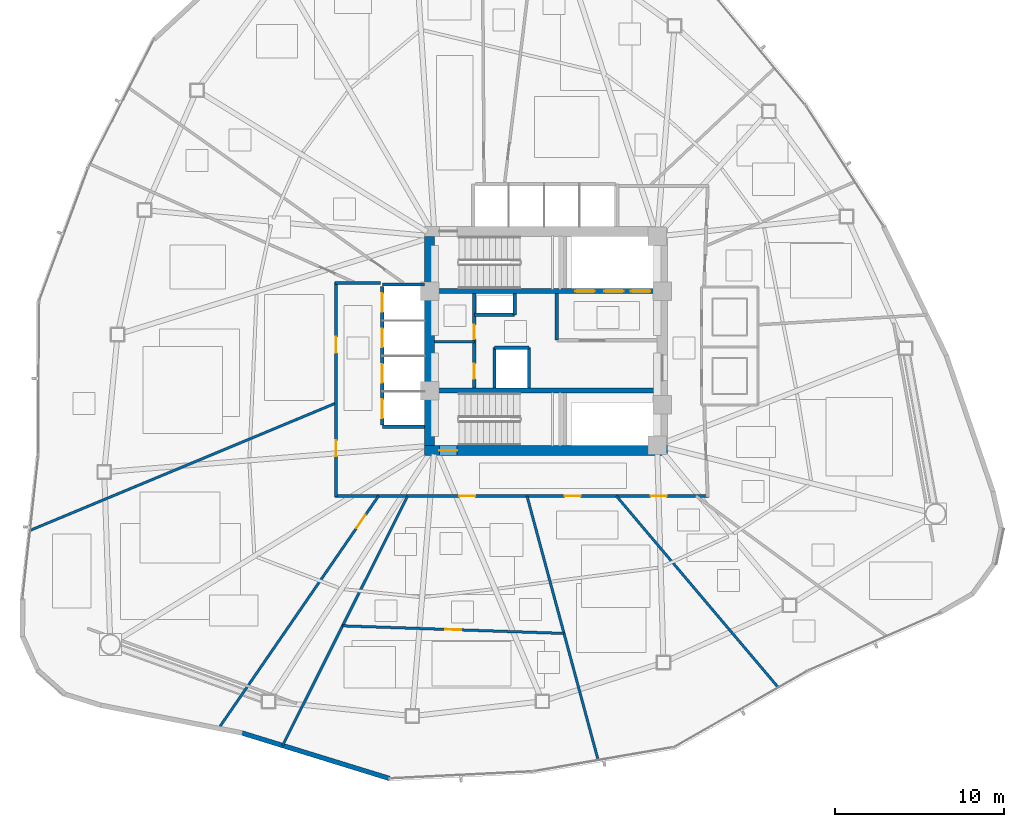
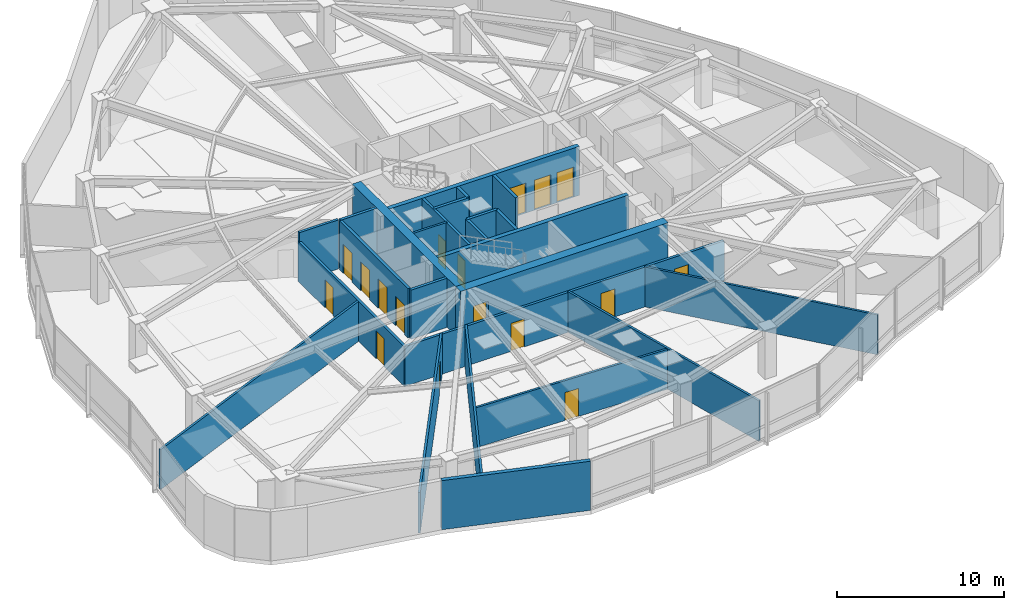
# One storey, part 12 of 18: 25 walls, 17 doors, 17 openings.
"""IFC4 building model written with IfcOpenShell, lengths in metres."""

from ifc_helpers import new_model, si_unit, direction, frame, frame_2d, origin, place, context, subcontext, project, spatial, rectangle, extrude, material, layer, layer_set, type_object, element, fill, save


model = new_model("IFC4")

# Units and contexts
model_context = context("Model", 3, precision=1e-05, world=origin(), true_north=direction((0.0, 1.0)))
body_context = subcontext(model_context, "Body", "Model", "MODEL_VIEW")
ifc_project = project(units=[si_unit("LENGTHUNIT", "METRE"), si_unit("AREAUNIT", "SQUARE_METRE"), si_unit("VOLUMEUNIT", "CUBIC_METRE"), si_unit("PLANEANGLEUNIT", "RADIAN"), si_unit("MASSUNIT", "GRAM", prefix="KILO")], contexts=[model_context])

# Site, building, storey
site_placement = place(None, origin())
site = spatial("IfcSite", under=ifc_project, at=site_placement, CompositionType="ELEMENT")
building_placement = place(site_placement, origin())
building = spatial("IfcBuilding", under=site, at=building_placement, Name="Tavelor Broadcast Tower", CompositionType="ELEMENT")
storey_placement = place(building_placement, frame((0.0, 0.0, 51.0)))
storey = spatial("IfcBuildingStorey", under=building, at=storey_placement, Name="L11", CompositionType="ELEMENT", Elevation=51.0)

# Wall, opening, door
ifc_material_1 = material(Name="Concrete C60/75", Category="concrete")
ifc_layer_1 = layer(ifc_material_1, 0.60009765625)
ifc_layer_set_1 = layer_set([ifc_layer_1], Name="Concrete C60/75")
wall_type_1 = type_object("IfcWallType", Name="Core Shear Wall 600 mm", PredefinedType="SHEAR", material=ifc_layer_set_1)
wall_1_placement = place(storey_placement, frame((42.800048828125, 38.5, 0.0), z_axis=(0.0, 0.0, 1.0), x_axis=(1.0, 0.0, 0.0)))
wall_1 = element("IfcWall", 1, at=wall_1_placement, inside=storey, type_object=wall_type_1, Name="L11 Central Core Shear Wall S", PredefinedType="SHEAR", context=body_context, shape_type="SweptSolid", body=[
    extrude(rectangle(XDim=14.39990234375, YDim=0.60009765625, at=frame_2d((7.199951171875, 0.0))), origin(), (0.0, 0.0, 1.0), 3.60009765625),
])
opening_1_placement = place(wall_1_placement, frame((0.8798828125, 0.0, 0.0)))
opening_1 = element("IfcOpeningElement", 2, at=opening_1_placement, cuts=wall_1, Name="Opening DR11", PredefinedType="OPENING", context=body_context, shape_type="SweptSolid", body=[
    extrude(rectangle(XDim=1.050048828125, YDim=2.199951171875, at=frame_2d((0.52490234375, 1.10009765625))), frame((0.0, 0.31005859375, 0.0), z_axis=(0.0, -1.0, 0.0), x_axis=(1.0, 0.0, 0.0)), (0.0, 0.0, 1.0), 0.6201171875),
])
ifc_material_2 = material(Name="Steel S355", Category="steel")
door_type_1 = type_object("IfcDoorType", Name="Stair Core Fire Escape Door 1050x2200", OperationType="NOTDEFINED", PredefinedType="DOOR", material=ifc_material_2)
door_1_placement = place(opening_1_placement, origin())
door_1 = element("IfcDoor", 3, at=door_1_placement, inside=storey, type_object=door_type_1, Name="L11 Stair ST2 Protected Exit Door", OperationType="SINGLE_SWING_RIGHT", OverallHeight=2.199951171875, OverallWidth=1.050048828125, PredefinedType="DOOR", context=body_context, shape_type="SweptSolid", body=[
    extrude(rectangle(XDim=1.050048828125, YDim=2.199951171875, at=frame_2d((0.52490234375, 1.10009765625))), frame((0.0, 0.02490234375, 0.0), z_axis=(0.0, -1.0, 0.0), x_axis=(1.0, 0.0, 0.0)), (0.0, 0.0, 1.0), 0.050048828125),
])
fill(opening_1, door_1)

# Wall
wall_2_placement = place(storey_placement, frame((43.10009765625, 38.800048828125, 0.0), z_axis=(0.0, 0.0, 1.0), x_axis=(0.0, 1.0, 0.0)))
element("IfcWall", 4, at=wall_2_placement, inside=storey, type_object=wall_type_1, Name="L11 Central Core Shear Wall W", PredefinedType="SHEAR", context=body_context, shape_type="SweptSolid", body=[
    extrude(rectangle(XDim=12.39990234375, YDim=0.60009765625, at=frame_2d((6.199951171875, 0.0))), origin(), (0.0, 0.0, 1.0), 3.60009765625),
])

# Wall, openings, doors
ifc_layer_2 = layer(ifc_material_1, 0.300048828125)
ifc_layer_set_2 = layer_set([ifc_layer_2], Name="Concrete C60/75")
wall_type_2 = type_object("IfcWallType", Name="Core Spine Shear Wall 300 mm C60", PredefinedType="SHEAR", material=ifc_layer_set_2)
wall_3_placement = place(storey_placement, frame((43.39990234375, 47.949951171875, 0.0), z_axis=(0.0, 0.0, 1.0), x_axis=(1.0, 0.0, 0.0)))
wall_3 = element("IfcWall", 5, at=wall_3_placement, inside=storey, type_object=wall_type_2, Name="L11 Central Core Shear Wall SP1", PredefinedType="SHEAR", context=body_context, shape_type="SweptSolid", body=[
    extrude(rectangle(XDim=13.2001953125, YDim=0.300048828125, at=frame_2d((6.60009765625, 0.0))), origin(), (0.0, 0.0, 1.0), 3.60009765625),
])
opening_2_placement = place(wall_3_placement, frame((8.344970703125, 0.0, 0.0)))
opening_2 = element("IfcOpeningElement", 6, at=opening_2_placement, cuts=wall_3, Name="Opening LD02", PredefinedType="OPENING", context=body_context, shape_type="SweptSolid", body=[
    extrude(rectangle(XDim=1.14990234375, YDim=2.199951171875, at=frame_2d((0.574951171875, 1.10009765625))), frame((0.0, 0.16015625, 0.0), z_axis=(0.0, -1.0, 0.0), x_axis=(1.0, 0.0, 0.0)), (0.0, 0.0, 1.0), 0.320068359375),
])
opening_3_placement = place(wall_3_placement, frame((10.06494140625, 0.0, 0.0)))
opening_3 = element("IfcOpeningElement", 7, at=opening_3_placement, cuts=wall_3, Name="Opening LD02", PredefinedType="OPENING", context=body_context, shape_type="SweptSolid", body=[
    extrude(rectangle(XDim=1.14990234375, YDim=2.199951171875, at=frame_2d((0.574951171875, 1.10009765625))), frame((0.0, 0.16015625, 0.0), z_axis=(0.0, -1.0, 0.0), x_axis=(1.0, 0.0, 0.0)), (0.0, 0.0, 1.0), 0.320068359375),
])
opening_4_placement = place(wall_3_placement, frame((11.64501953125, 0.0, 0.0)))
opening_4 = element("IfcOpeningElement", 8, at=opening_4_placement, cuts=wall_3, Name="Opening LD03", PredefinedType="OPENING", context=body_context, shape_type="SweptSolid", body=[
    extrude(rectangle(XDim=1.14990234375, YDim=2.199951171875, at=frame_2d((0.574951171875, 1.10009765625))), frame((0.0, 0.16015625, 0.0), z_axis=(0.0, -1.0, 0.0), x_axis=(1.0, 0.0, 0.0)), (0.0, 0.0, 1.0), 0.320068359375),
])
ifc_material_3 = material(Name="Reinforced Brushed Stainless Steel", Category="concrete")
door_type_2 = type_object("IfcDoorType", Name="Broadcast Goods Lift Sliding Landing Door 1250x2200", OperationType="NOTDEFINED", PredefinedType="DOOR", material=ifc_material_3)
door_2_placement = place(opening_4_placement, origin())
door_2 = element("IfcDoor", 9, at=door_2_placement, inside=storey, type_object=door_type_2, Name="L11 Lift SVL1 Sliding Landing Door", OperationType="SLIDING_TO_LEFT", OverallHeight=2.199951171875, OverallWidth=1.14990234375, PredefinedType="DOOR", context=body_context, shape_type="SweptSolid", body=[
    extrude(rectangle(XDim=1.14990234375, YDim=2.199951171875, at=frame_2d((0.574951171875, 1.10009765625))), frame((0.0, 0.02490234375, 0.0), z_axis=(0.0, -1.0, 0.0), x_axis=(1.0, 0.0, 0.0)), (0.0, 0.0, 1.0), 0.050048828125),
])
fill(opening_4, door_2)
ifc_material_4 = material(Name="Fire-Rated Stainless Steel", Category="steel")
door_type_3 = type_object("IfcDoorType", Name="Firefighting Lift Sliding Landing Door 1200x2200", OperationType="NOTDEFINED", PredefinedType="DOOR", material=ifc_material_4)
door_3_placement = place(opening_2_placement, origin())
door_3 = element("IfcDoor", 10, at=door_3_placement, inside=storey, type_object=door_type_3, Name="L11 Lift FFL1 Sliding Landing Door", OperationType="SLIDING_TO_LEFT", OverallHeight=2.199951171875, OverallWidth=1.14990234375, PredefinedType="DOOR", context=body_context, shape_type="SweptSolid", body=[
    extrude(rectangle(XDim=1.14990234375, YDim=2.199951171875, at=frame_2d((0.574951171875, 1.10009765625))), frame((0.0, 0.02490234375, 0.0), z_axis=(0.0, -1.0, 0.0), x_axis=(1.0, 0.0, 0.0)), (0.0, 0.0, 1.0), 0.050048828125),
])
fill(opening_2, door_3)
door_4_placement = place(opening_3_placement, origin())
door_4 = element("IfcDoor", 11, at=door_4_placement, inside=storey, type_object=door_type_3, Name="L11 Lift FFL2 Sliding Landing Door", OperationType="SLIDING_TO_LEFT", OverallHeight=2.199951171875, OverallWidth=1.14990234375, PredefinedType="DOOR", context=body_context, shape_type="SweptSolid", body=[
    extrude(rectangle(XDim=1.14990234375, YDim=2.199951171875, at=frame_2d((0.574951171875, 1.10009765625))), frame((0.0, 0.02490234375, 0.0), z_axis=(0.0, -1.0, 0.0), x_axis=(1.0, 0.0, 0.0)), (0.0, 0.0, 1.0), 0.050048828125),
])
fill(opening_3, door_4)

# Wall
wall_4_placement = place(storey_placement, frame((43.39990234375, 42.050048828125, 0.0), z_axis=(0.0, 0.0, 1.0), x_axis=(1.0, 0.0, 0.0)))
element("IfcWall", 12, at=wall_4_placement, inside=storey, type_object=wall_type_2, Name="L11 Central Core Shear Wall SP2", PredefinedType="SHEAR", context=body_context, shape_type="SweptSolid", body=[
    extrude(rectangle(XDim=13.2001953125, YDim=0.300048828125, at=frame_2d((6.60009765625, 0.0))), origin(), (0.0, 0.0, 1.0), 3.60009765625),
])

# Wall, openings, doors
ifc_material_5 = material(Name="Calcium Silicate Fire Board 180 mm", Category="gypsum")
ifc_layer_3 = layer(ifc_material_5, 0.179931640625)
ifc_layer_set_3 = layer_set([ifc_layer_3], Name="Calcium Silicate Fire Board 180 mm")
wall_type_3 = type_object("IfcWallType", Name="Fire-Rated Corridor Partition Wall 180 mm", PredefinedType="PARTITIONING", material=ifc_layer_set_3)
wall_5_placement = place(storey_placement, frame((45.75, 42.199951171875, 0.0), z_axis=(0.0, 0.0, 1.0), x_axis=(0.0, 1.0, 0.0)))
wall_5 = element("IfcWall", 13, at=wall_5_placement, inside=storey, type_object=wall_type_3, Name="L11 Core West Service East Wall", PredefinedType="PARTITIONING", context=body_context, shape_type="SweptSolid", body=[
    extrude(rectangle(XDim=5.60009765625, YDim=0.179931640625, at=frame_2d((2.800048828125, 0.0))), origin(), (0.0, 0.0, 1.0), 3.60009765625),
])
opening_5_placement = place(wall_5_placement, frame((0.550048828125, 0.0, 0.0)))
opening_5 = element("IfcOpeningElement", 14, at=opening_5_placement, cuts=wall_5, Name="Opening DR32", PredefinedType="OPENING", context=body_context, shape_type="SweptSolid", body=[
    extrude(rectangle(XDim=0.89990234375, YDim=2.050048828125, at=frame_2d((0.449951171875, 1.02490234375))), frame((0.0, 0.10009765625, 0.0), z_axis=(0.0, -1.0, 0.0), x_axis=(1.0, 0.0, 0.0)), (0.0, 0.0, 1.0), 0.199951171875),
])
opening_6_placement = place(wall_5_placement, frame((2.89990234375, 0.0, 0.0)))
opening_6 = element("IfcOpeningElement", 15, at=opening_6_placement, cuts=wall_5, Name="Opening DR36", PredefinedType="OPENING", context=body_context, shape_type="SweptSolid", body=[
    extrude(rectangle(XDim=0.85009765625, YDim=2.050048828125, at=frame_2d((0.425048828125, 1.02490234375))), frame((0.0, 0.10009765625, 0.0), z_axis=(0.0, -1.0, 0.0), x_axis=(1.0, 0.0, 0.0)), (0.0, 0.0, 1.0), 0.199951171875),
])
ifc_material_6 = material(Name="Timber Solid Core Hardwood", Category="wood")
door_type_4 = type_object("IfcDoorType", Name="Accessible Washroom Door 900x2050", OperationType="NOTDEFINED", PredefinedType="DOOR", material=ifc_material_6)
door_5_placement = place(opening_5_placement, origin())
door_5 = element("IfcDoor", 16, at=door_5_placement, inside=storey, type_object=door_type_4, Name="L11 Core Accessible WC Door", OperationType="SINGLE_SWING_LEFT", OverallHeight=2.050048828125, OverallWidth=0.89990234375, PredefinedType="DOOR", context=body_context, shape_type="SweptSolid", body=[
    extrude(rectangle(XDim=0.89990234375, YDim=2.050048828125, at=frame_2d((0.449951171875, 1.02490234375))), frame((0.0, 0.02490234375, 0.0), z_axis=(0.0, -1.0, 0.0), x_axis=(1.0, 0.0, 0.0)), (0.0, 0.0, 1.0), 0.050048828125),
])
fill(opening_5, door_5)
door_type_5 = type_object("IfcDoorType", Name="Service Room Fire Door 850x2050", OperationType="NOTDEFINED", PredefinedType="DOOR", material=ifc_material_2)
door_6_placement = place(opening_6_placement, origin())
door_6 = element("IfcDoor", 17, at=door_6_placement, inside=storey, type_object=door_type_5, Name="L11 Core Cleaner Store Door", OperationType="SINGLE_SWING_RIGHT", OverallHeight=2.050048828125, OverallWidth=0.85009765625, PredefinedType="DOOR", context=body_context, shape_type="SweptSolid", body=[
    extrude(rectangle(XDim=0.85009765625, YDim=2.050048828125, at=frame_2d((0.425048828125, 1.02490234375))), frame((0.0, 0.02490234375, 0.0), z_axis=(0.0, -1.0, 0.0), x_axis=(1.0, 0.0, 0.0)), (0.0, 0.0, 1.0), 0.050048828125),
])
fill(opening_6, door_6)

wall_6_placement = place(storey_placement, frame((59.64990234375, 35.800048828125, 0.0), z_axis=(0.0, 0.0, 1.0), x_axis=(-1.0, 0.0, 0.0)))
wall_6 = element("IfcWall", 18, at=wall_6_placement, inside=storey, type_object=wall_type_3, Name="L11 Corridor Compartment Wall 04", PredefinedType="PARTITIONING", context=body_context, shape_type="SweptSolid", body=[
    extrude(rectangle(XDim=22.14990234375, YDim=0.179931640625, at=frame_2d((11.074951171875, 0.0))), origin(), (0.0, 0.0, 1.0), 2.925048828125),
])
opening_7_placement = place(wall_6_placement, frame((2.49267578125, 0.0, 0.0)))
opening_7 = element("IfcOpeningElement", 19, at=opening_7_placement, cuts=wall_6, Name="Opening DR18", PredefinedType="OPENING", context=body_context, shape_type="SweptSolid", body=[
    extrude(rectangle(XDim=0.949951171875, YDim=2.050048828125, at=frame_2d((0.47509765625, 1.02490234375))), frame((0.0, 0.10009765625, 0.0), z_axis=(0.0, -1.0, 0.0), x_axis=(1.0, 0.0, 0.0)), (0.0, 0.0, 1.0), 0.199951171875),
])
opening_8_placement = place(wall_6_placement, frame((7.58837890625, 0.0, 0.0)))
opening_8 = element("IfcOpeningElement", 20, at=opening_8_placement, cuts=wall_6, Name="Opening DR18", PredefinedType="OPENING", context=body_context, shape_type="SweptSolid", body=[
    extrude(rectangle(XDim=0.949951171875, YDim=2.050048828125, at=frame_2d((0.47509765625, 1.02490234375))), frame((0.0, 0.10009765625, 0.0), z_axis=(0.0, -1.0, 0.0), x_axis=(1.0, 0.0, 0.0)), (0.0, 0.0, 1.0), 0.199951171875),
])
opening_9_placement = place(wall_6_placement, frame((13.847900390625, 0.0, 0.0)))
opening_9 = element("IfcOpeningElement", 21, at=opening_9_placement, cuts=wall_6, Name="Opening DR18", PredefinedType="OPENING", context=body_context, shape_type="SweptSolid", body=[
    extrude(rectangle(XDim=0.949951171875, YDim=2.050048828125, at=frame_2d((0.47509765625, 1.02490234375))), frame((0.0, 0.10009765625, 0.0), z_axis=(0.0, -1.0, 0.0), x_axis=(1.0, 0.0, 0.0)), (0.0, 0.0, 1.0), 0.199951171875),
])
door_type_6 = type_object("IfcDoorType", Name="Corridor Rated Compartment Door 950x2050", OperationType="NOTDEFINED", PredefinedType="DOOR", material=ifc_material_6)
door_7_placement = place(opening_7_placement, origin())
door_7 = element("IfcDoor", 22, at=door_7_placement, inside=storey, type_object=door_type_6, Name="L11 Broadcast Crew Room Door R11", OperationType="SINGLE_SWING_LEFT", OverallHeight=2.050048828125, OverallWidth=0.949951171875, PredefinedType="DOOR", context=body_context, shape_type="SweptSolid", body=[
    extrude(rectangle(XDim=0.949951171875, YDim=2.050048828125, at=frame_2d((0.47509765625, 1.02490234375))), frame((0.0, 0.02490234375, 0.0), z_axis=(0.0, -1.0, 0.0), x_axis=(1.0, 0.0, 0.0)), (0.0, 0.0, 1.0), 0.050048828125),
])
fill(opening_7, door_7)
door_8_placement = place(opening_8_placement, origin())
door_8 = element("IfcDoor", 23, at=door_8_placement, inside=storey, type_object=door_type_6, Name="L11 International Bureau Office Door R12", OperationType="SINGLE_SWING_RIGHT", OverallHeight=2.050048828125, OverallWidth=0.949951171875, PredefinedType="DOOR", context=body_context, shape_type="SweptSolid", body=[
    extrude(rectangle(XDim=0.949951171875, YDim=2.050048828125, at=frame_2d((0.47509765625, 1.02490234375))), frame((0.0, 0.02490234375, 0.0), z_axis=(0.0, -1.0, 0.0), x_axis=(1.0, 0.0, 0.0)), (0.0, 0.0, 1.0), 0.050048828125),
])
fill(opening_8, door_8)
door_9_placement = place(opening_9_placement, origin())
door_9 = element("IfcDoor", 24, at=door_9_placement, inside=storey, type_object=door_type_6, Name="L11 Wellness Quiet Room Door R13", OperationType="SINGLE_SWING_LEFT", OverallHeight=2.050048828125, OverallWidth=0.949951171875, PredefinedType="DOOR", context=body_context, shape_type="SweptSolid", body=[
    extrude(rectangle(XDim=0.949951171875, YDim=2.050048828125, at=frame_2d((0.47509765625, 1.02490234375))), frame((0.0, 0.02490234375, 0.0), z_axis=(0.0, -1.0, 0.0), x_axis=(1.0, 0.0, 0.0)), (0.0, 0.0, 1.0), 0.050048828125),
])
fill(opening_9, door_9)

wall_7_placement = place(storey_placement, frame((37.550048828125, 35.75, 0.0), z_axis=(0.0, 0.0, 1.0), x_axis=(0.0, 1.0, 0.0)))
wall_7 = element("IfcWall", 25, at=wall_7_placement, inside=storey, type_object=wall_type_3, Name="L11 Corridor Compartment Wall 05", PredefinedType="PARTITIONING", context=body_context, shape_type="SweptSolid", body=[
    extrude(rectangle(XDim=12.75, YDim=0.179931640625, at=frame_2d((6.375, 0.0))), origin(), (0.0, 0.0, 1.0), 2.925048828125),
])
opening_10_placement = place(wall_7_placement, frame((2.39990234375, 0.0, 0.0)))
opening_10 = element("IfcOpeningElement", 26, at=opening_10_placement, cuts=wall_7, Name="Opening DR18", PredefinedType="OPENING", context=body_context, shape_type="SweptSolid", body=[
    extrude(rectangle(XDim=0.949951171875, YDim=2.050048828125, at=frame_2d((0.47509765625, 1.02490234375))), frame((0.0, 0.10009765625, 0.0), z_axis=(0.0, -1.0, 0.0), x_axis=(1.0, 0.0, 0.0)), (0.0, 0.0, 1.0), 0.199951171875),
])
opening_11_placement = place(wall_7_placement, frame((8.546875, 0.0, 0.0)))
opening_11 = element("IfcOpeningElement", 27, at=opening_11_placement, cuts=wall_7, Name="Opening DR18", PredefinedType="OPENING", context=body_context, shape_type="SweptSolid", body=[
    extrude(rectangle(XDim=0.949951171875, YDim=2.050048828125, at=frame_2d((0.47509765625, 1.02490234375))), frame((0.0, 0.10009765625, 0.0), z_axis=(0.0, -1.0, 0.0), x_axis=(1.0, 0.0, 0.0)), (0.0, 0.0, 1.0), 0.199951171875),
])
door_10_placement = place(opening_10_placement, origin())
door_10 = element("IfcDoor", 28, at=door_10_placement, inside=storey, type_object=door_type_6, Name="L11 VFX Compositing Lab Door R2", OperationType="SINGLE_SWING_RIGHT", OverallHeight=2.050048828125, OverallWidth=0.949951171875, PredefinedType="DOOR", context=body_context, shape_type="SweptSolid", body=[
    extrude(rectangle(XDim=0.949951171875, YDim=2.050048828125, at=frame_2d((0.47509765625, 1.02490234375))), frame((0.0, 0.02490234375, 0.0), z_axis=(0.0, -1.0, 0.0), x_axis=(1.0, 0.0, 0.0)), (0.0, 0.0, 1.0), 0.050048828125),
])
fill(opening_10, door_10)
door_11_placement = place(opening_11_placement, origin())
door_11 = element("IfcDoor", 29, at=door_11_placement, inside=storey, type_object=door_type_6, Name="L11 Broadcast Production Studio Door R3", OperationType="SINGLE_SWING_LEFT", OverallHeight=2.050048828125, OverallWidth=0.949951171875, PredefinedType="DOOR", context=body_context, shape_type="SweptSolid", body=[
    extrude(rectangle(XDim=0.949951171875, YDim=2.050048828125, at=frame_2d((0.47509765625, 1.02490234375))), frame((0.0, 0.02490234375, 0.0), z_axis=(0.0, -1.0, 0.0), x_axis=(1.0, 0.0, 0.0)), (0.0, 0.0, 1.0), 0.050048828125),
])
fill(opening_11, door_11)

# Walls
wall_8_placement = place(storey_placement, frame((37.5, 48.449951171875, 0.0), z_axis=(0.0, 0.0, 1.0), x_axis=(1.0, 0.0, 0.0)))
element("IfcWall", 30, at=wall_8_placement, inside=storey, type_object=wall_type_3, Name="L11 Corridor Compartment Wall 06", PredefinedType="PARTITIONING", context=body_context, shape_type="SweptSolid", body=[
    extrude(rectangle(XDim=2.699951171875, YDim=0.179931640625, at=frame_2d((1.35009765625, 0.0))), origin(), (0.0, 0.0, 1.0), 3.60009765625),
])
ifc_material_7 = material(Name="Precast Concrete C40/50", Category="concrete")
ifc_layer_4 = layer(ifc_material_7, 0.280029296875)
ifc_layer_set_4 = layer_set([ifc_layer_4], Name="Precast Concrete C40/50")
wall_type_4 = type_object("IfcWallType", Name="Insulated Precast Terracotta Facade Wall 280 mm", PredefinedType="STANDARD", material=ifc_layer_set_4)
wall_9_placement = place(storey_placement, frame((31.9560546875, 21.7421875, 0.0), z_axis=(0.0, 0.0, 1.0), x_axis=(0.955553599727, -0.294817431725, 0.0)))
element("IfcWall", 31, at=wall_9_placement, inside=storey, type_object=wall_type_4, Name="L11 Rounded Corner Structural Cladding Pier 16", PredefinedType="STANDARD", context=body_context, shape_type="SweptSolid", body=[
    extrude(rectangle(XDim=9.16796875, YDim=0.280029296875, at=frame_2d((4.583984375, 0.0))), origin(), (0.0, 0.0, 1.0), 3.60009765625),
])
ifc_material_8 = material(Name="Gypsum Acoustic Plasterboard 150 mm", Category="gypsum")
ifc_layer_5 = layer(ifc_material_8, 0.14990234375)
ifc_layer_set_5 = layer_set([ifc_layer_5], Name="Gypsum Acoustic Plasterboard 150 mm")
wall_type_5 = type_object("IfcWallType", Name="Interior Acoustic Partition Wall 150 mm", PredefinedType="PARTITIONING", material=ifc_layer_set_5)
wall_10_placement = place(storey_placement, frame((43.39990234375, 44.949951171875, 0.0), z_axis=(0.0, 0.0, 1.0), x_axis=(1.0, 0.0, 0.0)))
element("IfcWall", 32, at=wall_10_placement, inside=storey, type_object=wall_type_5, Name="L11 Core Split Wall A", PredefinedType="PARTITIONING", context=body_context, shape_type="SweptSolid", body=[
    extrude(rectangle(XDim=2.35009765625, YDim=0.14990234375, at=frame_2d((1.175048828125, 0.0))), origin(), (0.0, 0.0, 1.0), 3.60009765625),
])
wall_11_placement = place(storey_placement, frame((37.550048828125, 41.315673828125, 0.0), z_axis=(0.0, 0.0, 1.0), x_axis=(-0.923195824761, -0.384329896241, 0.0)))
element("IfcWall", 33, at=wall_11_placement, inside=storey, type_object=wall_type_5, Name="L11 Radial Compartment Wall 05", PredefinedType="PARTITIONING", context=body_context, shape_type="SweptSolid", body=[
    extrude(rectangle(XDim=19.67529296875, YDim=0.14990234375, at=frame_2d((9.837646484375, 0.0))), origin(), (0.0, 0.0, 1.0), 2.925048828125),
])

# Wall, opening, door
wall_12_placement = place(storey_placement, frame((40.0703125, 35.800048828125, 0.0), z_axis=(0.0, 0.0, 1.0), x_axis=(-0.566800354016, -0.823855180652, 0.0)))
wall_12 = element("IfcWall", 34, at=wall_12_placement, inside=storey, type_object=wall_type_5, Name="L11 Radial Compartment Wall 06", PredefinedType="PARTITIONING", context=body_context, shape_type="SweptSolid", body=[
    extrude(rectangle(XDim=16.75, YDim=0.14990234375, at=frame_2d((8.375, 0.0))), origin(), (0.0, 0.0, 1.0), 2.97509765625),
])
opening_12_placement = place(wall_12_placement, frame((1.35009765625, 0.0, 0.0)))
opening_12 = element("IfcOpeningElement", 35, at=opening_12_placement, cuts=wall_12, Name="Opening DR18", PredefinedType="OPENING", context=body_context, shape_type="SweptSolid", body=[
    extrude(rectangle(XDim=0.949951171875, YDim=2.050048828125, at=frame_2d((0.47509765625, 1.02490234375))), frame((0.0, 0.0849609375, 0.0), z_axis=(0.0, -1.0, 0.0), x_axis=(1.0, 0.0, 0.0)), (0.0, 0.0, 1.0), 0.169921875),
])
door_12_placement = place(opening_12_placement, origin())
door_12 = element("IfcDoor", 36, at=door_12_placement, inside=storey, type_object=door_type_6, Name="L11 Suite Connecting Door 1", OperationType="SINGLE_SWING_RIGHT", OverallHeight=2.050048828125, OverallWidth=0.949951171875, PredefinedType="DOOR", context=body_context, shape_type="SweptSolid", body=[
    extrude(rectangle(XDim=0.949951171875, YDim=2.050048828125, at=frame_2d((0.47509765625, 1.02490234375))), frame((0.0, 0.02490234375, 0.0), z_axis=(0.0, -1.0, 0.0), x_axis=(1.0, 0.0, 0.0)), (0.0, 0.0, 1.0), 0.050048828125),
])
fill(opening_12, door_12)

# Walls
wall_13_placement = place(storey_placement, frame((41.794677734375, 35.800048828125, 0.0), z_axis=(0.0, 0.0, 1.0), x_axis=(-0.44763793032, -0.894214897739, 0.0)))
element("IfcWall", 37, at=wall_13_placement, inside=storey, type_object=wall_type_5, Name="L11 Radial Compartment Wall 07", PredefinedType="PARTITIONING", context=body_context, shape_type="SweptSolid", body=[
    extrude(rectangle(XDim=16.568115234375, YDim=0.14990234375, at=frame_2d((8.2841796875, 0.0))), origin(), (0.0, 0.0, 1.0), 2.97509765625),
])
wall_14_placement = place(storey_placement, frame((48.87841796875, 35.800048828125, 0.0), z_axis=(0.0, 0.0, 1.0), x_axis=(0.260103938271, -0.965580623923, 0.0)))
element("IfcWall", 38, at=wall_14_placement, inside=storey, type_object=wall_type_5, Name="L11 Radial Compartment Wall 08", PredefinedType="PARTITIONING", context=body_context, shape_type="SweptSolid", body=[
    extrude(rectangle(XDim=16.240234375, YDim=0.14990234375, at=frame_2d((8.1201171875, 0.0))), origin(), (0.0, 0.0, 1.0), 2.97509765625),
])
wall_15_placement = place(storey_placement, frame((54.18017578125, 35.800048828125, 0.0), z_axis=(0.0, 0.0, 1.0), x_axis=(0.645721016033, -0.763573421128, 0.0)))
element("IfcWall", 39, at=wall_15_placement, inside=storey, type_object=wall_type_5, Name="L11 Radial Compartment Wall 09", PredefinedType="PARTITIONING", context=body_context, shape_type="SweptSolid", body=[
    extrude(rectangle(XDim=14.892578125, YDim=0.14990234375, at=frame_2d((7.4462890625, 0.0))), origin(), (0.0, 0.0, 1.0), 2.925048828125),
])

# Wall, opening, door
wall_16_placement = place(storey_placement, frame((37.93798828125, 28.095947265625, 0.0), z_axis=(0.0, 0.0, 1.0), x_axis=(0.999413957747, -0.034230703491, 0.0)))
wall_16 = element("IfcWall", 40, at=wall_16_placement, inside=storey, type_object=wall_type_5, Name="L11 Suite Chord Partition Wall 01", PredefinedType="PARTITIONING", context=body_context, shape_type="SweptSolid", body=[
    extrude(rectangle(XDim=13.144775390625, YDim=0.14990234375, at=frame_2d((6.572265625, 0.0))), origin(), (0.0, 0.0, 1.0), 2.925048828125),
])
opening_13_placement = place(wall_16_placement, frame((6.09716796875, 0.0, 0.0)))
opening_13 = element("IfcOpeningElement", 41, at=opening_13_placement, cuts=wall_16, Name="Opening DR23", PredefinedType="OPENING", context=body_context, shape_type="SweptSolid", body=[
    extrude(rectangle(XDim=0.949951171875, YDim=2.050048828125, at=frame_2d((0.47509765625, 1.02490234375))), frame((0.0, 0.0849609375, 0.0), z_axis=(0.0, -1.0, 0.0), x_axis=(1.0, 0.0, 0.0)), (0.0, 0.0, 1.0), 0.169921875),
])
door_type_7 = type_object("IfcDoorType", Name="Editorial Room Acoustic Door 950x2050", OperationType="NOTDEFINED", PredefinedType="DOOR", material=ifc_material_6)
door_13_placement = place(opening_13_placement, origin())
door_13 = element("IfcDoor", 42, at=door_13_placement, inside=storey, type_object=door_type_7, Name="L11 Outer Suite Partition Door 1", OperationType="SINGLE_SWING_LEFT", OverallHeight=2.050048828125, OverallWidth=0.949951171875, PredefinedType="DOOR", context=body_context, shape_type="SweptSolid", body=[
    extrude(rectangle(XDim=0.949951171875, YDim=2.050048828125, at=frame_2d((0.47509765625, 1.02490234375))), frame((0.0, 0.02490234375, 0.0), z_axis=(0.0, -1.0, 0.0), x_axis=(1.0, 0.0, 0.0)), (0.0, 0.0, 1.0), 0.050048828125),
])
fill(opening_13, door_13)

# Wall, openings, doors
ifc_material_9 = material(Name="Concrete Blockwork 200 mm", Category="masonry")
ifc_layer_6 = layer(ifc_material_9, 0.199951171875)
ifc_layer_set_6 = layer_set([ifc_layer_6], Name="Concrete Blockwork 200 mm")
wall_type_6 = type_object("IfcWallType", Name="Lift Hoistway Rated Front Wall 200 mm", PredefinedType="PARTITIONING", material=ifc_layer_set_6)
wall_17_placement = place(storey_placement, frame((40.300048828125, 40.02001953125, 0.0), z_axis=(0.0, 0.0, 1.0), x_axis=(0.0, 1.0, 0.0)))
wall_17 = element("IfcWall", 43, at=wall_17_placement, inside=storey, type_object=wall_type_6, Name="L11 Low-Rise Lift Hoistway Front Wall", PredefinedType="PARTITIONING", context=body_context, shape_type="SweptSolid", body=[
    extrude(rectangle(XDim=8.2099609375, YDim=0.199951171875, at=frame_2d((4.10498046875, 0.0))), origin(), (0.0, 0.0, 1.0), 3.60009765625),
])
opening_14_placement = place(wall_17_placement, frame((0.405029296875, 0.0, 0.0)))
opening_14 = element("IfcOpeningElement", 44, at=opening_14_placement, cuts=wall_17, Name="Opening LD01", PredefinedType="OPENING", context=body_context, shape_type="SweptSolid", body=[
    extrude(rectangle(XDim=1.10009765625, YDim=2.14990234375, at=frame_2d((0.550048828125, 1.074951171875))), frame((0.0, 0.10986328125, 0.0), z_axis=(0.0, -1.0, 0.0), x_axis=(1.0, 0.0, 0.0)), (0.0, 0.0, 1.0), 0.219970703125),
])
opening_15_placement = place(wall_17_placement, frame((2.5048828125, 0.0, 0.0)))
opening_15 = element("IfcOpeningElement", 45, at=opening_15_placement, cuts=wall_17, Name="Opening LD01", PredefinedType="OPENING", context=body_context, shape_type="SweptSolid", body=[
    extrude(rectangle(XDim=1.10009765625, YDim=2.14990234375, at=frame_2d((0.550048828125, 1.074951171875))), frame((0.0, 0.10986328125, 0.0), z_axis=(0.0, -1.0, 0.0), x_axis=(1.0, 0.0, 0.0)), (0.0, 0.0, 1.0), 0.219970703125),
])
opening_16_placement = place(wall_17_placement, frame((4.60498046875, 0.0, 0.0)))
opening_16 = element("IfcOpeningElement", 46, at=opening_16_placement, cuts=wall_17, Name="Opening LD01", PredefinedType="OPENING", context=body_context, shape_type="SweptSolid", body=[
    extrude(rectangle(XDim=1.10009765625, YDim=2.14990234375, at=frame_2d((0.550048828125, 1.074951171875))), frame((0.0, 0.10986328125, 0.0), z_axis=(0.0, -1.0, 0.0), x_axis=(1.0, 0.0, 0.0)), (0.0, 0.0, 1.0), 0.219970703125),
])
opening_17_placement = place(wall_17_placement, frame((6.705078125, 0.0, 0.0)))
opening_17 = element("IfcOpeningElement", 47, at=opening_17_placement, cuts=wall_17, Name="Opening LD01", PredefinedType="OPENING", context=body_context, shape_type="SweptSolid", body=[
    extrude(rectangle(XDim=1.10009765625, YDim=2.14990234375, at=frame_2d((0.550048828125, 1.074951171875))), frame((0.0, 0.10986328125, 0.0), z_axis=(0.0, -1.0, 0.0), x_axis=(1.0, 0.0, 0.0)), (0.0, 0.0, 1.0), 0.219970703125),
])
ifc_material_10 = material(Name="Brushed Stainless Steel", Category="steel")
door_type_8 = type_object("IfcDoorType", Name="Passenger Lift Sliding Landing Door 1100x2150", OperationType="NOTDEFINED", PredefinedType="DOOR", material=ifc_material_10)
door_14_placement = place(opening_14_placement, origin())
door_14 = element("IfcDoor", 48, at=door_14_placement, inside=storey, type_object=door_type_8, Name="L11 Lift PLL1 Sliding Landing Door", OperationType="SLIDING_TO_LEFT", OverallHeight=2.14990234375, OverallWidth=1.10009765625, PredefinedType="DOOR", context=body_context, shape_type="SweptSolid", body=[
    extrude(rectangle(XDim=1.10009765625, YDim=2.14990234375, at=frame_2d((0.550048828125, 1.074951171875))), frame((0.0, 0.02490234375, 0.0), z_axis=(0.0, -1.0, 0.0), x_axis=(1.0, 0.0, 0.0)), (0.0, 0.0, 1.0), 0.050048828125),
])
fill(opening_14, door_14)
door_15_placement = place(opening_15_placement, origin())
door_15 = element("IfcDoor", 49, at=door_15_placement, inside=storey, type_object=door_type_8, Name="L11 Lift PLL2 Sliding Landing Door", OperationType="SLIDING_TO_RIGHT", OverallHeight=2.14990234375, OverallWidth=1.10009765625, PredefinedType="DOOR", context=body_context, shape_type="SweptSolid", body=[
    extrude(rectangle(XDim=1.10009765625, YDim=2.14990234375, at=frame_2d((0.550048828125, 1.074951171875))), frame((0.0, 0.02490234375, 0.0), z_axis=(0.0, -1.0, 0.0), x_axis=(1.0, 0.0, 0.0)), (0.0, 0.0, 1.0), 0.050048828125),
])
fill(opening_15, door_15)
door_16_placement = place(opening_16_placement, origin())
door_16 = element("IfcDoor", 50, at=door_16_placement, inside=storey, type_object=door_type_8, Name="L11 Lift PLL3 Sliding Landing Door", OperationType="SLIDING_TO_LEFT", OverallHeight=2.14990234375, OverallWidth=1.10009765625, PredefinedType="DOOR", context=body_context, shape_type="SweptSolid", body=[
    extrude(rectangle(XDim=1.10009765625, YDim=2.14990234375, at=frame_2d((0.550048828125, 1.074951171875))), frame((0.0, 0.02490234375, 0.0), z_axis=(0.0, -1.0, 0.0), x_axis=(1.0, 0.0, 0.0)), (0.0, 0.0, 1.0), 0.050048828125),
])
fill(opening_16, door_16)
door_17_placement = place(opening_17_placement, origin())
door_17 = element("IfcDoor", 51, at=door_17_placement, inside=storey, type_object=door_type_8, Name="L11 Lift PLL4 Sliding Landing Door", OperationType="SLIDING_TO_RIGHT", OverallHeight=2.14990234375, OverallWidth=1.10009765625, PredefinedType="DOOR", context=body_context, shape_type="SweptSolid", body=[
    extrude(rectangle(XDim=1.10009765625, YDim=2.14990234375, at=frame_2d((0.550048828125, 1.074951171875))), frame((0.0, 0.02490234375, 0.0), z_axis=(0.0, -1.0, 0.0), x_axis=(1.0, 0.0, 0.0)), (0.0, 0.0, 1.0), 0.050048828125),
])
fill(opening_17, door_17)

# Walls
wall_18_placement = place(storey_placement, frame((49.0, 42.199951171875, 0.0), z_axis=(0.0, 0.0, 1.0), x_axis=(0.0, 1.0, 0.0)))
element("IfcWall", 52, at=wall_18_placement, inside=storey, type_object=wall_type_6, Name="L11 Mid-Rise Lift PLM4 Hoistway Front Wall", PredefinedType="PARTITIONING", context=body_context, shape_type="SweptSolid", body=[
    extrude(rectangle(XDim=2.400146484375, YDim=0.199951171875, at=frame_2d((1.2001953125, 0.0))), origin(), (0.0, 0.0, 1.0), 3.60009765625),
])
ifc_layer_7 = layer(ifc_material_9, 0.199951171875)
ifc_layer_set_7 = layer_set([ifc_layer_7], Name="Concrete Blockwork 200 mm")
wall_type_7 = type_object("IfcWallType", Name="Lift and Riser Shaft Enclosure Wall 200 mm", PredefinedType="PARTITIONING", material=ifc_layer_set_7)
for number, where, z_axis, x_axis, name in (
    (53, (40.300048828125, 39.89990234375, 0.0), (0.0, 0.0, 1.0), (1.0, 0.0, 0.0), "L11 Low-Rise Lift Shaft South Wall"),
    (54, (40.300048828125, 48.35009765625, 0.0), (0.0, 0.0, 1.0), (1.0, 0.0, 0.0), "L11 Low-Rise Lift Shaft North Wall"),
):
    element("IfcWall", number, at=place(storey_placement, frame(where, z_axis=z_axis, x_axis=x_axis)), inside=storey, type_object=wall_type_7, Name=name, PredefinedType="PARTITIONING", context=body_context, shape_type="SweptSolid", body=[
        extrude(rectangle(XDim=2.5, YDim=0.199951171875, at=frame_2d((1.25, 0.0))), origin(), (0.0, 0.0, 1.0), 3.60009765625),
    ])
wall_19_placement = place(storey_placement, frame((45.75, 46.550048828125, 0.0), z_axis=(0.0, 0.0, 1.0), x_axis=(1.0, 0.0, 0.0)))
element("IfcWall", 55, at=wall_19_placement, inside=storey, type_object=wall_type_7, Name="L11 Riser Shaft South Wall", PredefinedType="PARTITIONING", context=body_context, shape_type="SweptSolid", body=[
    extrude(rectangle(XDim=2.39990234375, YDim=0.199951171875, at=frame_2d((1.199951171875, 0.0))), origin(), (0.0, 0.0, 1.0), 3.60009765625),
])
wall_20_placement = place(storey_placement, frame((48.14990234375, 46.550048828125, 0.0), z_axis=(0.0, 0.0, 1.0), x_axis=(0.0, 1.0, 0.0)))
element("IfcWall", 56, at=wall_20_placement, inside=storey, type_object=wall_type_7, Name="L11 Riser Shaft East Wall", PredefinedType="PARTITIONING", context=body_context, shape_type="SweptSolid", body=[
    extrude(rectangle(XDim=1.25, YDim=0.199951171875, at=frame_2d((0.625, 0.0))), origin(), (0.0, 0.0, 1.0), 3.60009765625),
])
wall_21_placement = place(storey_placement, frame((46.949951171875, 42.199951171875, 0.0), z_axis=(0.0, 0.0, 1.0), x_axis=(0.0, 1.0, 0.0)))
element("IfcWall", 57, at=wall_21_placement, inside=storey, type_object=wall_type_7, Name="L11 Mid-Rise Lift PLM4 West Wall", PredefinedType="PARTITIONING", context=body_context, shape_type="SweptSolid", body=[
    extrude(rectangle(XDim=2.400146484375, YDim=0.199951171875, at=frame_2d((1.2001953125, 0.0))), origin(), (0.0, 0.0, 1.0), 3.60009765625),
])
wall_22_placement = place(storey_placement, frame((46.949951171875, 44.60009765625, 0.0), z_axis=(0.0, 0.0, 1.0), x_axis=(1.0, 0.0, 0.0)))
element("IfcWall", 58, at=wall_22_placement, inside=storey, type_object=wall_type_7, Name="L11 Mid-Rise Lift PLM4 North Wall", PredefinedType="PARTITIONING", context=body_context, shape_type="SweptSolid", body=[
    extrude(rectangle(XDim=2.050048828125, YDim=0.199951171875, at=frame_2d((1.02490234375, 0.0))), origin(), (0.0, 0.0, 1.0), 3.60009765625),
])
wall_23_placement = place(storey_placement, frame((50.64990234375, 45.050048828125, 0.0), z_axis=(0.0, 0.0, 1.0), x_axis=(0.0, 1.0, 0.0)))
element("IfcWall", 59, at=wall_23_placement, inside=storey, type_object=wall_type_7, Name="L11 Firefighting Lobby West Wall", PredefinedType="PARTITIONING", context=body_context, shape_type="SweptSolid", body=[
    extrude(rectangle(XDim=2.75, YDim=0.199951171875, at=frame_2d((1.375, 0.0))), origin(), (0.0, 0.0, 1.0), 3.60009765625),
])

save(model, "model.ifc")
